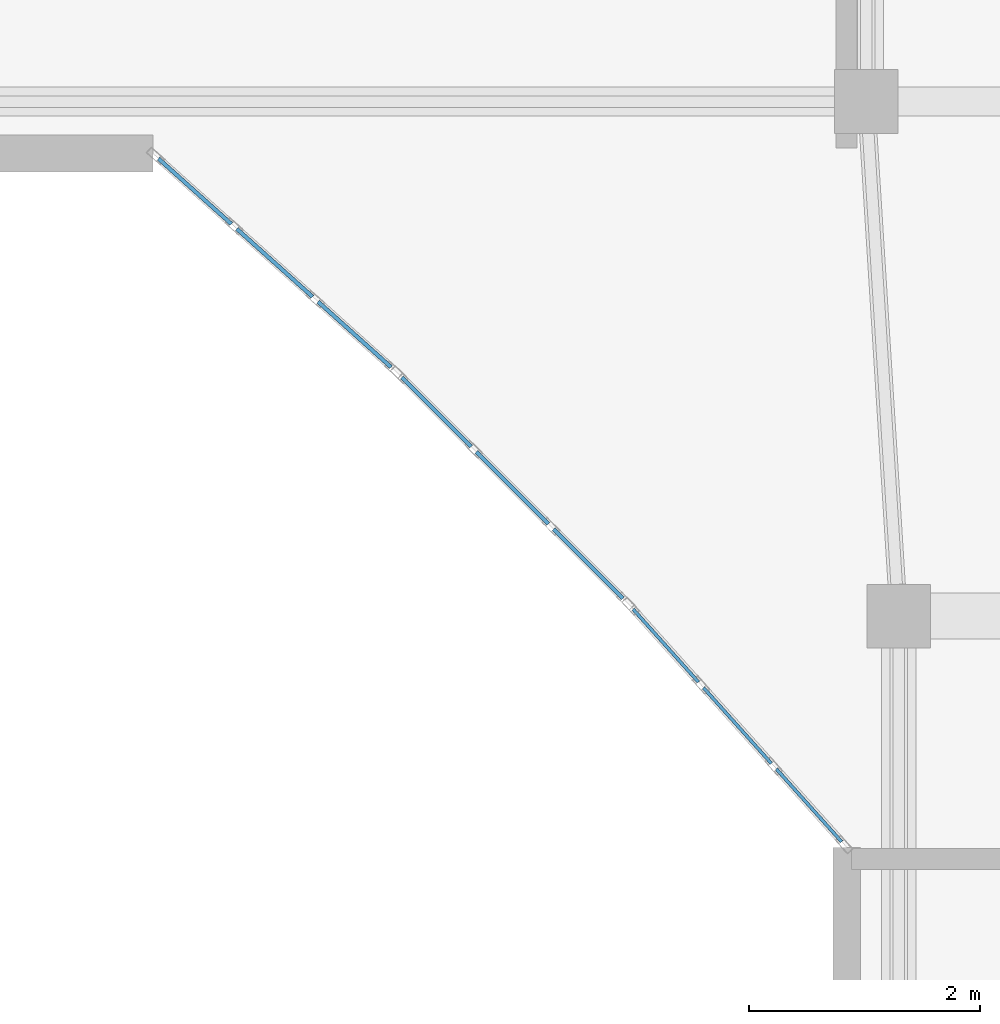
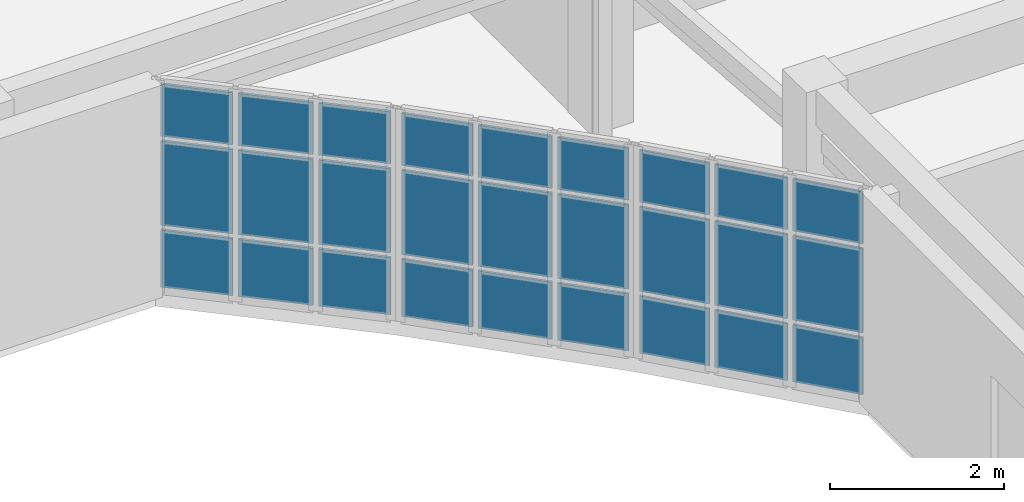
# One storey, part 20 of 54: 27 plates, 3 elements without a shape of their own.
"""IFC4 building model written with IfcOpenShell, lengths in metres."""

from ifc_helpers import new_model, si_unit, direction, frame, origin, origin_2d, place, context, subcontext, project, spatial, rectangle, extrude, material, layer, layer_set, type_object, element, aggregate, save


model = new_model("IFC4")

# Units and contexts
model_context = context("Model", 3, precision=1e-05, world=origin(), true_north=direction((0.0, 1.0)))
body_context = subcontext(model_context, "Body", "Model", "MODEL_VIEW")
ifc_project = project(units=[si_unit("LENGTHUNIT", "METRE"), si_unit("AREAUNIT", "SQUARE_METRE"), si_unit("VOLUMEUNIT", "CUBIC_METRE"), si_unit("PLANEANGLEUNIT", "RADIAN"), si_unit("MASSUNIT", "GRAM", prefix="KILO")], contexts=[model_context])

# Site, building, storey
site_placement = place(None, origin())
site = spatial("IfcSite", under=ifc_project, at=site_placement, CompositionType="ELEMENT")
building_placement = place(site_placement, origin())
building = spatial("IfcBuilding", under=site, at=building_placement, Name="Keldmere Railside Commons", CompositionType="ELEMENT")
storey_placement = place(building_placement, frame((0.0, 0.0, 26.56005859375)))
storey = spatial("IfcBuildingStorey", under=building, at=storey_placement, Name="L08", CompositionType="ELEMENT", Elevation=26.56005859375)

# Curtain wall, plates
ifc_material_1 = material(Name="Thermally Broken Aluminium", Category="aluminium")
ifc_layer_1 = layer(ifc_material_1, 0.159912109375, Name="Court Chord Wintergarden CW 4800x2850")
ifc_layer_set_1 = layer_set([ifc_layer_1], Name="Thermally Broken Aluminium")
curtain_wall_type_1 = type_object("IfcCurtainWallType", Name="Court Chord Wintergarden CW 4800x2850", PredefinedType="NOTDEFINED", material=ifc_layer_set_1)
curtain_wall_1_placement = place(storey_placement, origin())
curtain_wall_1 = element("IfcCurtainWall", 1, at=curtain_wall_1_placement, inside=storey, type_object=curtain_wall_type_1, Name="CW-12 CW-L08-076", PredefinedType="NOTDEFINED")
ifc_material_2 = material(Name="Low-E Insulated Double Glazing", Category="glass")
ifc_layer_2 = layer(ifc_material_2, 0.033935546875, Name="Acoustic Laminated Vision Panel 34")
ifc_layer_set_2 = layer_set([ifc_layer_2], Name="Low-E Insulated Double Glazing")
plate_type_1 = type_object("IfcPlateType", Name="Acoustic Laminated Vision Panel 34", PredefinedType="CURTAIN_PANEL", material=ifc_layer_set_2)
plate_1_placement = place(storey_placement, frame((43.74462890625, 98.435791015625, 0.06494140625), z_axis=(0.0, 0.0, 1.0), x_axis=(-0.744557333277, 0.667558519879, 0.0)))
plate_1 = element("IfcPlate", 2, at=plate_1_placement, type_object=plate_type_1, Name="CW-12 panel 1.1", PredefinedType="CURTAIN_PANEL", context=body_context, shape_type="SweptSolid", body=[
    extrude(rectangle(XDim=0.84619140625, YDim=0.033935546875, at=origin_2d()), origin(), (0.0, 0.0, 1.0), 0.802490234375),
])
plate_2_placement = place(storey_placement, frame((43.74462890625, 98.435791015625, 0.932373046875), z_axis=(0.0, 0.0, 1.0), x_axis=(-0.744557333277, 0.667558519879, 0.0)))
plate_2 = element("IfcPlate", 3, at=plate_2_placement, type_object=plate_type_1, Name="CW-12 panel 1.2", PredefinedType="CURTAIN_PANEL", context=body_context, shape_type="SweptSolid", body=[
    extrude(rectangle(XDim=0.84619140625, YDim=0.033935546875, at=origin_2d()), origin(), (0.0, 0.0, 1.0), 1.18505859375),
])
plate_3_placement = place(storey_placement, frame((43.74462890625, 98.435791015625, 2.182373046875), z_axis=(0.0, 0.0, 1.0), x_axis=(-0.744557333277, 0.667558519879, 0.0)))
plate_3 = element("IfcPlate", 4, at=plate_3_placement, type_object=plate_type_1, Name="CW-12 panel 1.3", PredefinedType="CURTAIN_PANEL", context=body_context, shape_type="SweptSolid", body=[
    extrude(rectangle(XDim=0.84619140625, YDim=0.033935546875, at=origin_2d()), origin(), (0.0, 0.0, 1.0), 0.732421875),
])
plate_4_placement = place(storey_placement, frame((43.053955078125, 99.054931640625, 0.06494140625), z_axis=(0.0, 0.0, 1.0), x_axis=(-0.744557333277, 0.667558519879, 0.0)))
plate_4 = element("IfcPlate", 5, at=plate_4_placement, type_object=plate_type_1, Name="CW-12 panel 2.1", PredefinedType="CURTAIN_PANEL", context=body_context, shape_type="SweptSolid", body=[
    extrude(rectangle(XDim=0.878662109375, YDim=0.033935546875, at=origin_2d()), origin(), (0.0, 0.0, 1.0), 0.802490234375),
])
plate_5_placement = place(storey_placement, frame((43.053955078125, 99.054931640625, 0.932373046875), z_axis=(0.0, 0.0, 1.0), x_axis=(-0.744557333277, 0.667558519879, 0.0)))
plate_5 = element("IfcPlate", 6, at=plate_5_placement, type_object=plate_type_1, Name="CW-12 panel 2.2", PredefinedType="CURTAIN_PANEL", context=body_context, shape_type="SweptSolid", body=[
    extrude(rectangle(XDim=0.878662109375, YDim=0.033935546875, at=origin_2d()), origin(), (0.0, 0.0, 1.0), 1.18505859375),
])
plate_6_placement = place(storey_placement, frame((43.053955078125, 99.054931640625, 2.182373046875), z_axis=(0.0, 0.0, 1.0), x_axis=(-0.744557333277, 0.667558519879, 0.0)))
plate_6 = element("IfcPlate", 7, at=plate_6_placement, type_object=plate_type_1, Name="CW-12 panel 2.3", PredefinedType="CURTAIN_PANEL", context=body_context, shape_type="SweptSolid", body=[
    extrude(rectangle(XDim=0.878662109375, YDim=0.033935546875, at=origin_2d()), origin(), (0.0, 0.0, 1.0), 0.732421875),
])
plate_7_placement = place(storey_placement, frame((42.363525390625, 99.674072265625, 0.06494140625), z_axis=(0.0, 0.0, 1.0), x_axis=(-0.744557333277, 0.667558519879, 0.0)))
plate_7 = element("IfcPlate", 8, at=plate_7_placement, type_object=plate_type_1, Name="CW-12 panel 3.1", PredefinedType="CURTAIN_PANEL", context=body_context, shape_type="SweptSolid", body=[
    extrude(rectangle(XDim=0.84619140625, YDim=0.033935546875, at=origin_2d()), origin(), (0.0, 0.0, 1.0), 0.802490234375),
])
plate_8_placement = place(storey_placement, frame((42.363525390625, 99.674072265625, 0.932373046875), z_axis=(0.0, 0.0, 1.0), x_axis=(-0.744557333277, 0.667558519879, 0.0)))
plate_8 = element("IfcPlate", 9, at=plate_8_placement, type_object=plate_type_1, Name="CW-12 panel 3.2", PredefinedType="CURTAIN_PANEL", context=body_context, shape_type="SweptSolid", body=[
    extrude(rectangle(XDim=0.84619140625, YDim=0.033935546875, at=origin_2d()), origin(), (0.0, 0.0, 1.0), 1.18505859375),
])
plate_9_placement = place(storey_placement, frame((42.363525390625, 99.674072265625, 2.182373046875), z_axis=(0.0, 0.0, 1.0), x_axis=(-0.744557333277, 0.667558519879, 0.0)))
plate_9 = element("IfcPlate", 10, at=plate_9_placement, type_object=plate_type_1, Name="CW-12 panel 3.3", PredefinedType="CURTAIN_PANEL", context=body_context, shape_type="SweptSolid", body=[
    extrude(rectangle(XDim=0.84619140625, YDim=0.033935546875, at=origin_2d()), origin(), (0.0, 0.0, 1.0), 0.732421875),
])
aggregate(curtain_wall_1, [plate_1, plate_2, plate_3, plate_4, plate_5, plate_6, plate_7, plate_8, plate_9])

ifc_layer_3 = layer(ifc_material_1, 0.159912109375, Name="Court Chord Wintergarden CW 5400x2850")
ifc_layer_set_3 = layer_set([ifc_layer_3], Name="Thermally Broken Aluminium")
curtain_wall_type_2 = type_object("IfcCurtainWallType", Name="Court Chord Wintergarden CW 5400x2850", PredefinedType="NOTDEFINED", material=ifc_layer_set_3)
curtain_wall_2_placement = place(storey_placement, origin())
curtain_wall_2 = element("IfcCurtainWall", 11, at=curtain_wall_2_placement, inside=storey, type_object=curtain_wall_type_2, Name="CW-13 CW-L08-077", PredefinedType="NOTDEFINED")
ifc_layer_4 = layer(ifc_material_2, 0.031982421875, Name="Clerestory Solar-Control Vision Panel 32")
ifc_layer_set_4 = layer_set([ifc_layer_4], Name="Low-E Insulated Double Glazing")
plate_type_2 = type_object("IfcPlateType", Name="Clerestory Solar-Control Vision Panel 32", PredefinedType="CURTAIN_PANEL", material=ifc_layer_set_4)
plate_10_placement = place(storey_placement, frame((45.764892578125, 96.453125, 0.06494140625), z_axis=(0.0, 0.0, 1.0), x_axis=(-0.707106781187, 0.707106781187, 0.0)))
plate_10 = element("IfcPlate", 12, at=plate_10_placement, type_object=plate_type_2, Name="CW-13 panel 1.1", PredefinedType="CURTAIN_PANEL", context=body_context, shape_type="SweptSolid", body=[
    extrude(rectangle(XDim=0.84619140625, YDim=0.031982421875, at=origin_2d()), origin(), (0.0, 0.0, 1.0), 0.802490234375),
])
plate_11_placement = place(storey_placement, frame((45.764892578125, 96.453125, 0.932373046875), z_axis=(0.0, 0.0, 1.0), x_axis=(-0.707106781187, 0.707106781187, 0.0)))
plate_11 = element("IfcPlate", 13, at=plate_11_placement, type_object=plate_type_2, Name="CW-13 panel 1.2", PredefinedType="CURTAIN_PANEL", context=body_context, shape_type="SweptSolid", body=[
    extrude(rectangle(XDim=0.84619140625, YDim=0.031982421875, at=origin_2d()), origin(), (0.0, 0.0, 1.0), 1.18505859375),
])
plate_12_placement = place(storey_placement, frame((45.764892578125, 96.453125, 2.182373046875), z_axis=(0.0, 0.0, 1.0), x_axis=(-0.707106781187, 0.707106781187, 0.0)))
plate_12 = element("IfcPlate", 14, at=plate_12_placement, type_object=plate_type_2, Name="CW-13 panel 1.3", PredefinedType="CURTAIN_PANEL", context=body_context, shape_type="SweptSolid", body=[
    extrude(rectangle(XDim=0.84619140625, YDim=0.031982421875, at=origin_2d()), origin(), (0.0, 0.0, 1.0), 0.732421875),
])
plate_13_placement = place(storey_placement, frame((45.10888671875, 97.10888671875, 0.06494140625), z_axis=(0.0, 0.0, 1.0), x_axis=(-0.707106781187, 0.707106781187, 0.0)))
plate_13 = element("IfcPlate", 15, at=plate_13_placement, type_object=plate_type_2, Name="CW-13 panel 2.1", PredefinedType="CURTAIN_PANEL", context=body_context, shape_type="SweptSolid", body=[
    extrude(rectangle(XDim=0.878662109375, YDim=0.031982421875, at=origin_2d()), origin(), (0.0, 0.0, 1.0), 0.802490234375),
])
plate_14_placement = place(storey_placement, frame((45.10888671875, 97.10888671875, 0.932373046875), z_axis=(0.0, 0.0, 1.0), x_axis=(-0.707106781187, 0.707106781187, 0.0)))
plate_14 = element("IfcPlate", 16, at=plate_14_placement, type_object=plate_type_2, Name="CW-13 panel 2.2", PredefinedType="CURTAIN_PANEL", context=body_context, shape_type="SweptSolid", body=[
    extrude(rectangle(XDim=0.878662109375, YDim=0.031982421875, at=origin_2d()), origin(), (0.0, 0.0, 1.0), 1.18505859375),
])
plate_15_placement = place(storey_placement, frame((45.10888671875, 97.10888671875, 2.182373046875), z_axis=(0.0, 0.0, 1.0), x_axis=(-0.707106781187, 0.707106781187, 0.0)))
plate_15 = element("IfcPlate", 17, at=plate_15_placement, type_object=plate_type_2, Name="CW-13 panel 2.3", PredefinedType="CURTAIN_PANEL", context=body_context, shape_type="SweptSolid", body=[
    extrude(rectangle(XDim=0.878662109375, YDim=0.031982421875, at=origin_2d()), origin(), (0.0, 0.0, 1.0), 0.732421875),
])
plate_16_placement = place(storey_placement, frame((44.453125, 97.764892578125, 0.06494140625), z_axis=(0.0, 0.0, 1.0), x_axis=(-0.707106781187, 0.707106781187, 0.0)))
plate_16 = element("IfcPlate", 18, at=plate_16_placement, type_object=plate_type_2, Name="CW-13 panel 3.1", PredefinedType="CURTAIN_PANEL", context=body_context, shape_type="SweptSolid", body=[
    extrude(rectangle(XDim=0.84619140625, YDim=0.031982421875, at=origin_2d()), origin(), (0.0, 0.0, 1.0), 0.802490234375),
])
plate_17_placement = place(storey_placement, frame((44.453125, 97.764892578125, 0.932373046875), z_axis=(0.0, 0.0, 1.0), x_axis=(-0.707106781187, 0.707106781187, 0.0)))
plate_17 = element("IfcPlate", 19, at=plate_17_placement, type_object=plate_type_2, Name="CW-13 panel 3.2", PredefinedType="CURTAIN_PANEL", context=body_context, shape_type="SweptSolid", body=[
    extrude(rectangle(XDim=0.84619140625, YDim=0.031982421875, at=origin_2d()), origin(), (0.0, 0.0, 1.0), 1.18505859375),
])
plate_18_placement = place(storey_placement, frame((44.453125, 97.764892578125, 2.182373046875), z_axis=(0.0, 0.0, 1.0), x_axis=(-0.707106781187, 0.707106781187, 0.0)))
plate_18 = element("IfcPlate", 20, at=plate_18_placement, type_object=plate_type_2, Name="CW-13 panel 3.3", PredefinedType="CURTAIN_PANEL", context=body_context, shape_type="SweptSolid", body=[
    extrude(rectangle(XDim=0.84619140625, YDim=0.031982421875, at=origin_2d()), origin(), (0.0, 0.0, 1.0), 0.732421875),
])
aggregate(curtain_wall_2, [plate_10, plate_11, plate_12, plate_13, plate_14, plate_15, plate_16, plate_17, plate_18])

curtain_wall_3_placement = place(storey_placement, origin())
curtain_wall_3 = element("IfcCurtainWall", 21, at=curtain_wall_3_placement, inside=storey, type_object=curtain_wall_type_1, Name="CW-12 CW-L08-078", PredefinedType="NOTDEFINED")
ifc_layer_5 = layer(ifc_material_2, 0.028076171875, Name="Low-E Vision Glazing Panel 28")
ifc_layer_set_5 = layer_set([ifc_layer_5], Name="Low-E Insulated Double Glazing")
plate_type_3 = type_object("IfcPlateType", Name="Low-E Vision Glazing Panel 28", PredefinedType="CURTAIN_PANEL", material=ifc_layer_set_5)
plate_19_placement = place(storey_placement, frame((47.674072265625, 94.363525390625, 0.06494140625), z_axis=(0.0, 0.0, 1.0), x_axis=(-0.667558519879, 0.744557333277, 0.0)))
plate_19 = element("IfcPlate", 22, at=plate_19_placement, type_object=plate_type_3, Name="CW-12 panel 1.1", PredefinedType="CURTAIN_PANEL", context=body_context, shape_type="SweptSolid", body=[
    extrude(rectangle(XDim=0.84619140625, YDim=0.028076171875, at=origin_2d()), origin(), (0.0, 0.0, 1.0), 0.802490234375),
])
plate_20_placement = place(storey_placement, frame((47.674072265625, 94.363525390625, 0.932373046875), z_axis=(0.0, 0.0, 1.0), x_axis=(-0.667558519879, 0.744557333277, 0.0)))
plate_20 = element("IfcPlate", 23, at=plate_20_placement, type_object=plate_type_3, Name="CW-12 panel 1.2", PredefinedType="CURTAIN_PANEL", context=body_context, shape_type="SweptSolid", body=[
    extrude(rectangle(XDim=0.84619140625, YDim=0.028076171875, at=origin_2d()), origin(), (0.0, 0.0, 1.0), 1.18505859375),
])
plate_21_placement = place(storey_placement, frame((47.674072265625, 94.363525390625, 2.182373046875), z_axis=(0.0, 0.0, 1.0), x_axis=(-0.667558519879, 0.744557333277, 0.0)))
plate_21 = element("IfcPlate", 24, at=plate_21_placement, type_object=plate_type_3, Name="CW-12 panel 1.3", PredefinedType="CURTAIN_PANEL", context=body_context, shape_type="SweptSolid", body=[
    extrude(rectangle(XDim=0.84619140625, YDim=0.028076171875, at=origin_2d()), origin(), (0.0, 0.0, 1.0), 0.732421875),
])
plate_22_placement = place(storey_placement, frame((47.054931640625, 95.053955078125, 0.06494140625), z_axis=(0.0, 0.0, 1.0), x_axis=(-0.667558519879, 0.744557333277, 0.0)))
plate_22 = element("IfcPlate", 25, at=plate_22_placement, type_object=plate_type_3, Name="CW-12 panel 2.1", PredefinedType="CURTAIN_PANEL", context=body_context, shape_type="SweptSolid", body=[
    extrude(rectangle(XDim=0.878662109375, YDim=0.028076171875, at=origin_2d()), origin(), (0.0, 0.0, 1.0), 0.802490234375),
])
plate_23_placement = place(storey_placement, frame((47.054931640625, 95.053955078125, 0.932373046875), z_axis=(0.0, 0.0, 1.0), x_axis=(-0.667558519879, 0.744557333277, 0.0)))
plate_23 = element("IfcPlate", 26, at=plate_23_placement, type_object=plate_type_3, Name="CW-12 panel 2.2", PredefinedType="CURTAIN_PANEL", context=body_context, shape_type="SweptSolid", body=[
    extrude(rectangle(XDim=0.878662109375, YDim=0.028076171875, at=origin_2d()), origin(), (0.0, 0.0, 1.0), 1.18505859375),
])
plate_24_placement = place(storey_placement, frame((47.054931640625, 95.053955078125, 2.182373046875), z_axis=(0.0, 0.0, 1.0), x_axis=(-0.667558519879, 0.744557333277, 0.0)))
plate_24 = element("IfcPlate", 27, at=plate_24_placement, type_object=plate_type_3, Name="CW-12 panel 2.3", PredefinedType="CURTAIN_PANEL", context=body_context, shape_type="SweptSolid", body=[
    extrude(rectangle(XDim=0.878662109375, YDim=0.028076171875, at=origin_2d()), origin(), (0.0, 0.0, 1.0), 0.732421875),
])
plate_25_placement = place(storey_placement, frame((46.435791015625, 95.74462890625, 0.06494140625), z_axis=(0.0, 0.0, 1.0), x_axis=(-0.667558519879, 0.744557333277, 0.0)))
plate_25 = element("IfcPlate", 28, at=plate_25_placement, type_object=plate_type_3, Name="CW-12 panel 3.1", PredefinedType="CURTAIN_PANEL", context=body_context, shape_type="SweptSolid", body=[
    extrude(rectangle(XDim=0.84619140625, YDim=0.028076171875, at=origin_2d()), origin(), (0.0, 0.0, 1.0), 0.802490234375),
])
plate_26_placement = place(storey_placement, frame((46.435791015625, 95.74462890625, 0.932373046875), z_axis=(0.0, 0.0, 1.0), x_axis=(-0.667558519879, 0.744557333277, 0.0)))
plate_26 = element("IfcPlate", 29, at=plate_26_placement, type_object=plate_type_3, Name="CW-12 panel 3.2", PredefinedType="CURTAIN_PANEL", context=body_context, shape_type="SweptSolid", body=[
    extrude(rectangle(XDim=0.84619140625, YDim=0.028076171875, at=origin_2d()), origin(), (0.0, 0.0, 1.0), 1.18505859375),
])
plate_27_placement = place(storey_placement, frame((46.435791015625, 95.74462890625, 2.182373046875), z_axis=(0.0, 0.0, 1.0), x_axis=(-0.667558519879, 0.744557333277, 0.0)))
plate_27 = element("IfcPlate", 30, at=plate_27_placement, type_object=plate_type_3, Name="CW-12 panel 3.3", PredefinedType="CURTAIN_PANEL", context=body_context, shape_type="SweptSolid", body=[
    extrude(rectangle(XDim=0.84619140625, YDim=0.028076171875, at=origin_2d()), origin(), (0.0, 0.0, 1.0), 0.732421875),
])
aggregate(curtain_wall_3, [plate_19, plate_20, plate_21, plate_22, plate_23, plate_24, plate_25, plate_26, plate_27])

save(model, "model.ifc")
